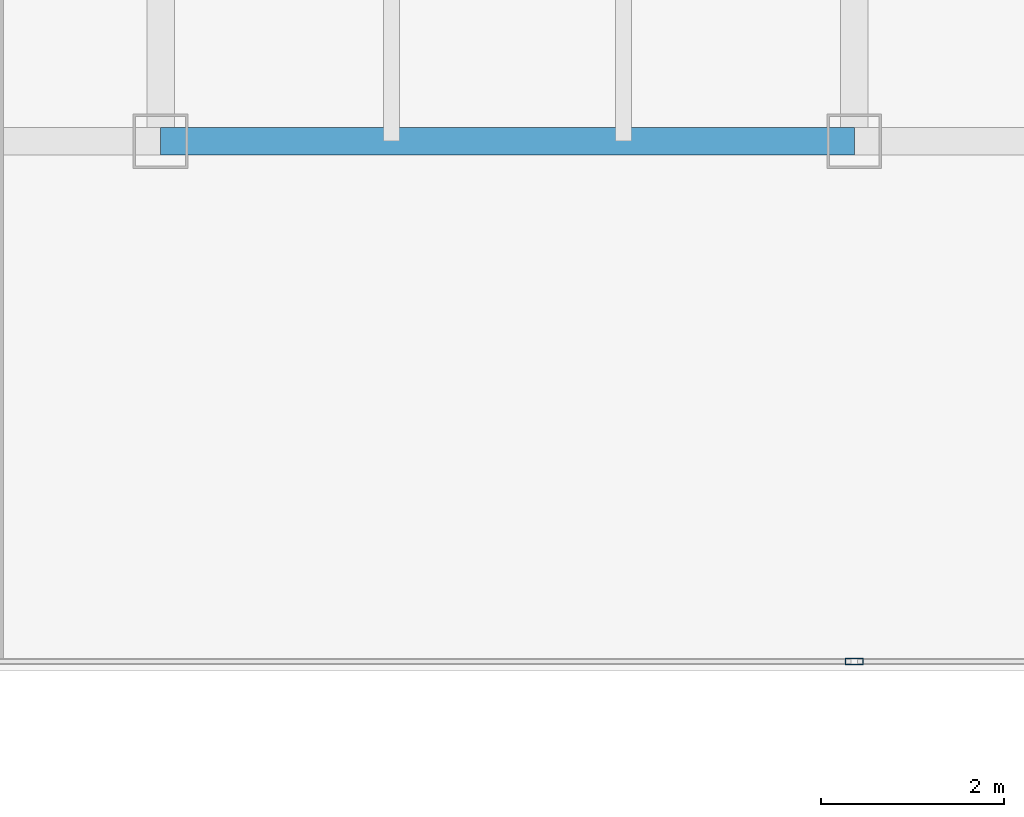
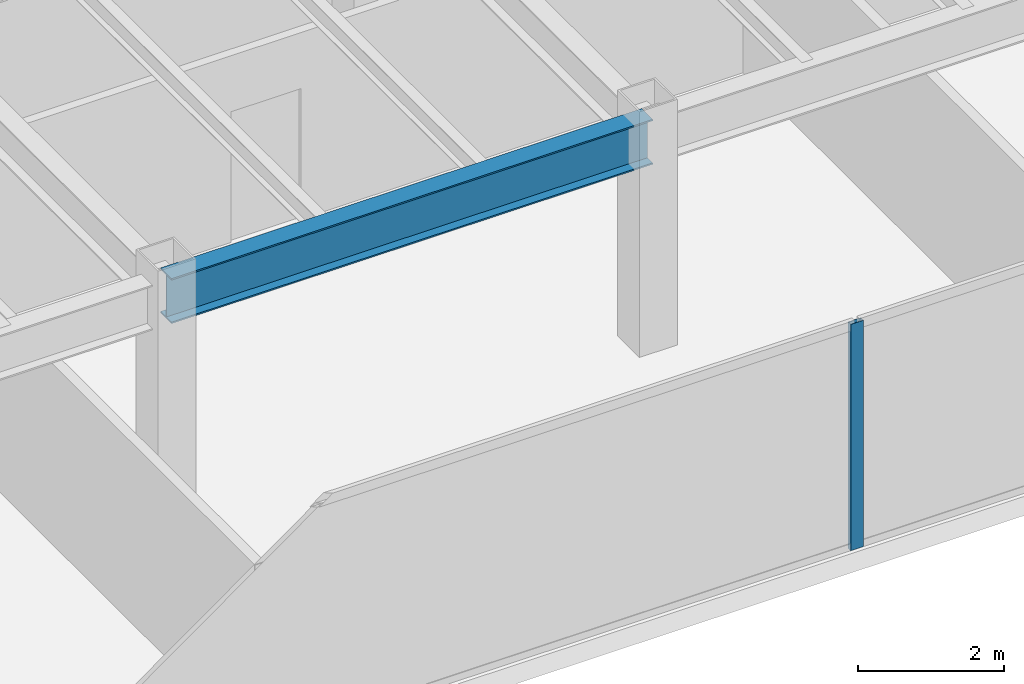
# One storey, part 8 of 35: 1 beam, 1 member, 1 element without a shape of its own.
"""IFC4 building model written with IfcOpenShell, lengths in metres."""

from ifc_helpers import new_model, si_unit, direction, frame, origin, origin_2d, place, context, subcontext, project, spatial, hollow_rectangle, i_section, extrude, source, transform, mapped, material, layer, layer_set, material_profile, profile_set, type_object, type_shapes, element, aggregate, save


model = new_model("IFC4")

# Units and contexts
model_context = context("Model", 3, precision=1e-05, world=origin(), true_north=direction((0.0, 1.0)))
body_context = subcontext(model_context, "Body", "Model", "MODEL_VIEW")
ifc_project = project(units=[si_unit("LENGTHUNIT", "METRE"), si_unit("AREAUNIT", "SQUARE_METRE"), si_unit("VOLUMEUNIT", "CUBIC_METRE"), si_unit("PLANEANGLEUNIT", "RADIAN"), si_unit("MASSUNIT", "GRAM", prefix="KILO")], contexts=[model_context])

# Site, building, storey
site_placement = place(None, origin())
site = spatial("IfcSite", under=ifc_project, at=site_placement, CompositionType="ELEMENT")
building_placement = place(site_placement, origin())
building = spatial("IfcBuilding", under=site, at=building_placement, Name="Haelvirn Gate Laboratories", CompositionType="ELEMENT")
storey_placement = place(building_placement, frame((0.0, 0.0, 86.699951171875)))
storey = spatial("IfcBuildingStorey", under=building, at=storey_placement, Name="L21", CompositionType="ELEMENT", Elevation=86.699951171875)

# Beam
ifc_material_1 = material(Name="Steel SM355", Category="steel")
ifc_material_profile_1 = material_profile(ifc_material_1, i_section(OverallWidth=0.300048828125, OverallDepth=0.75, WebThickness=0.013916015625, FlangeThickness=0.02392578125, at=origin_2d()), Name="H-750x300x14x24")
ifc_profile_set_1 = profile_set([ifc_material_profile_1], Name="Steel SM355")
beam_type = type_object("IfcBeamType", Name="BM-G-750", PredefinedType="BEAM", material=ifc_profile_set_1)
shared_shape_1 = source(origin(), body_context, "Body", "SweptSolid", [
    extrude(i_section(OverallWidth=0.300048828125, OverallDepth=0.75, WebThickness=0.013916015625, FlangeThickness=0.02392578125, at=origin_2d()), origin(), (0.0, 0.0, 1.0), 7.599853515625),
])
type_shapes(beam_type, [shared_shape_1])
beam_placement = place(storey_placement, frame((29.800048828125, 7.0, 3.405029296875), z_axis=(1.0, 0.0, 0.0), x_axis=(0.0, 1.0, 0.0)))
element("IfcBeam", 1, at=beam_placement, inside=storey, type_object=beam_type, Name="L21 Primary Girder Y7.0 (29.8-37.4)", PredefinedType="BEAM", context=body_context, shape_type="MappedRepresentation", body=[
    mapped(shared_shape_1, transform((0.0, 0.0, 0.0), scale=1.0)),
])

# Curtain wall, member
ifc_material_2 = material(Name="Anodised bronze unitised aluminium & triple low-E glass", Category="aluminium")
ifc_layer = layer(ifc_material_2, 0.18408203125, Name="CW-SYS-2")
ifc_layer_set = layer_set([ifc_layer], Name="Anodised bronze unitised aluminium & triple low-E glass")
curtain_wall_type = type_object("IfcCurtainWallType", Name="CW-SYS-2", PredefinedType="NOTDEFINED", material=ifc_layer_set)
curtain_wall_placement = place(storey_placement, origin())
curtain_wall = element("IfcCurtainWall", 2, at=curtain_wall_placement, inside=storey, type_object=curtain_wall_type, Name="L21 Unitised Curtain Wall CW-L21-P0-E02-1", PredefinedType="NOTDEFINED")
ifc_material_3 = material(Name="Extruded aluminium 6063-T6 (anodised bronze)", Category="aluminium")
ifc_material_profile_2 = material_profile(ifc_material_3, hollow_rectangle(XDim=0.074951171875, YDim=0.199951171875, WallThickness=0.0048828125, at=origin_2d()), Name="CWM-200x75x5")
ifc_profile_set_2 = profile_set([ifc_material_profile_2], Name="Extruded aluminium 6063-T6 (anodised bronze)")
member_type = type_object("IfcMemberType", Name="CWM-T200", PredefinedType="MULLION", material=ifc_profile_set_2)
shared_shape_2 = source(origin(), body_context, "Body", "SweptSolid", [
    extrude(hollow_rectangle(XDim=0.074951171875, YDim=0.199951171875, WallThickness=0.0048828125, at=origin_2d()), origin(), (0.0, 0.0, 1.0), 3.780029296875),
])
type_shapes(member_type, [shared_shape_2])
member_placement = place(storey_placement, frame((37.39990234375, 1.300048828125, 0.0), z_axis=(0.0, 0.0, 1.0), x_axis=(0.0, 1.0, 0.0)))
member = element("IfcMember", 3, at=member_placement, type_object=member_type, Name="CW2 mullion 2", PredefinedType="MULLION", context=body_context, shape_type="MappedRepresentation", body=[
    mapped(shared_shape_2, transform((0.0, 0.0, 0.0), scale=1.0)),
])
aggregate(curtain_wall, [member])

save(model, "model.ifc")
